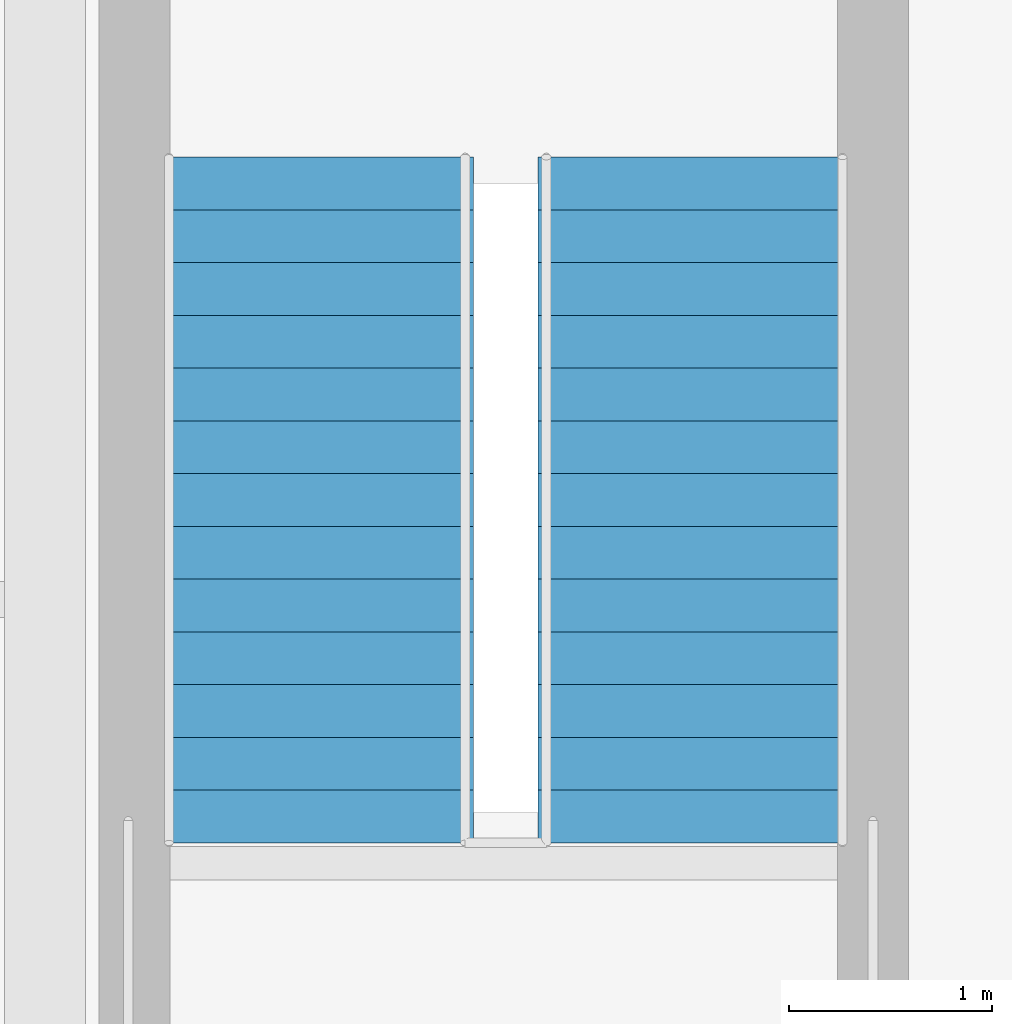
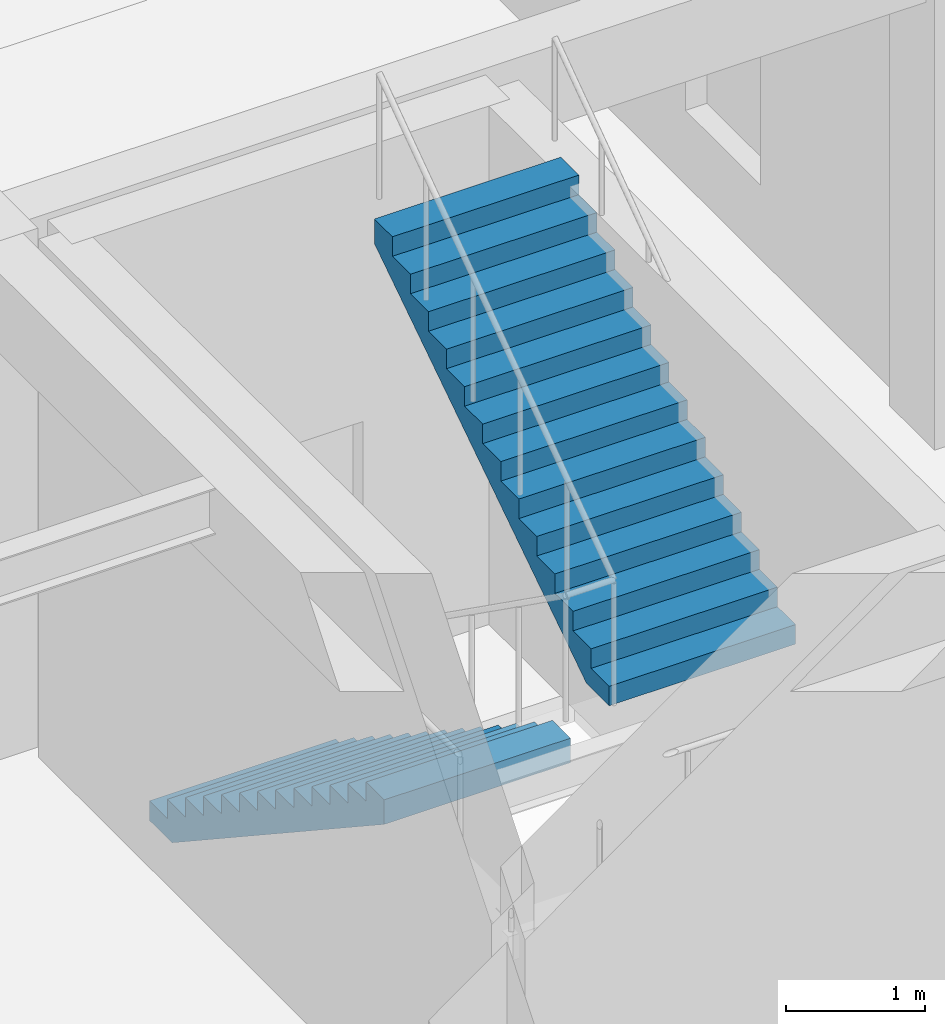
# One storey, part 154 of 161: 2 stair flights, 1 element without a shape of its own.
"""IFC4 building model written with IfcOpenShell, lengths in metres."""

from ifc_helpers import new_model, si_unit, direction, frame, origin, place, context, subcontext, project, spatial, polyline, outline, extrude, material, type_object, element, aggregate, save


model = new_model("IFC4")

# Units and contexts
model_context = context("Model", 3, precision=1e-05, world=origin(), true_north=direction((0.0, 1.0)))
body_context = subcontext(model_context, "Body", "Model", "MODEL_VIEW")
ifc_project = project(units=[si_unit("LENGTHUNIT", "METRE"), si_unit("AREAUNIT", "SQUARE_METRE"), si_unit("VOLUMEUNIT", "CUBIC_METRE"), si_unit("PLANEANGLEUNIT", "RADIAN"), si_unit("MASSUNIT", "GRAM", prefix="KILO")], contexts=[model_context])

# Site, building, storey
site_placement = place(None, origin())
site = spatial("IfcSite", under=ifc_project, at=site_placement, CompositionType="ELEMENT")
building_placement = place(site_placement, origin())
building = spatial("IfcBuilding", under=site, at=building_placement, Name="Cimatlan Art Gallery", CompositionType="ELEMENT")
storey_placement = place(building_placement, frame((0.0, 0.0, 5.39990234375)))
storey = spatial("IfcBuildingStorey", under=building, at=storey_placement, Name="L01", CompositionType="ELEMENT", Elevation=5.39990234375)

# Stair, stair flights
ifc_material = material(Name="Concrete C35/45", Category="concrete")
stair_type = type_object("IfcStairType", Name="STR-HALF-155-480", PredefinedType="HALF_TURN_STAIR", material=ifc_material)
stair_placement = place(storey_placement, origin())
stair = element("IfcStair", 1, at=stair_placement, inside=storey, type_object=stair_type, Name="STR-C10-L01", PredefinedType="HALF_TURN_STAIR")
stair_flight_type = type_object("IfcStairFlightType", Name="STF-155-14R-260", PredefinedType="STRAIGHT", material=ifc_material)
stair_flight_1_placement = place(storey_placement, frame((157.235107421875, 51.97998046875, 0.0), z_axis=(0.0, 0.0, 1.0), x_axis=(0.0, -1.0, 0.0)))
stair_flight_1 = element("IfcStairFlight", 2, at=stair_flight_1_placement, type_object=stair_flight_type, Name="STR-C10-L01-F1", NumberOfRisers=14, NumberOfTreads=13, PredefinedType="STRAIGHT", RiserHeight=0.171429, TreadLength=0.26, context=body_context, shape_type="SweptSolid", body=[
    extrude(outline(polyline([(0.0, 0.0), (0.0, 0.17138671875), (0.260009765625, 0.17138671875), (0.260009765625, 0.3427734375), (0.52001953125, 0.3427734375), (0.52001953125, 0.514404296875), (0.780029296875, 0.514404296875), (0.780029296875, 0.685791015625), (1.0400390625, 0.685791015625), (1.0400390625, 0.857177734375), (1.300048828125, 0.857177734375), (1.300048828125, 1.028564453125), (1.56005859375, 1.028564453125), (1.56005859375, 1.199951171875), (1.820068359375, 1.199951171875), (1.820068359375, 1.371337890625), (2.080078125, 1.371337890625), (2.080078125, 1.54296875), (2.340087890625, 1.54296875), (2.340087890625, 1.71435546875), (2.60009765625, 1.71435546875), (2.60009765625, 1.8857421875), (2.860107421875, 1.8857421875), (2.860107421875, 2.05712890625), (3.1201171875, 2.05712890625), (3.1201171875, 2.228515625), (3.3798828125, 2.228515625), (3.3798828125, 2.39990234375), (3.3798828125, 2.012939453125), (0.326904296875, 0.0), (0.0, 0.0)])), frame((0.0, 0.77490234375, 0.0), z_axis=(0.0, -1.0, 0.0), x_axis=(1.0, 0.0, 0.0)), (0.0, 0.0, 1.0), 1.550048828125),
])
stair_flight_2_placement = place(storey_placement, frame((159.10498046875, 48.60009765625, 2.400146484375), z_axis=(0.0, 0.0, 1.0), x_axis=(0.0, 1.0, 0.0)))
stair_flight_2 = element("IfcStairFlight", 3, at=stair_flight_2_placement, type_object=stair_flight_type, Name="STR-C10-L01-F2", NumberOfRisers=14, NumberOfTreads=13, PredefinedType="STRAIGHT", RiserHeight=0.171429, TreadLength=0.26, context=body_context, shape_type="SweptSolid", body=[
    extrude(outline(polyline([(0.0, 0.0), (0.0, 0.17138671875), (0.260009765625, 0.17138671875), (0.260009765625, 0.3427734375), (0.52001953125, 0.3427734375), (0.52001953125, 0.514404296875), (0.780029296875, 0.514404296875), (0.780029296875, 0.685791015625), (1.0400390625, 0.685791015625), (1.0400390625, 0.857177734375), (1.300048828125, 0.857177734375), (1.300048828125, 1.028564453125), (1.56005859375, 1.028564453125), (1.56005859375, 1.199951171875), (1.820068359375, 1.199951171875), (1.820068359375, 1.371337890625), (2.080078125, 1.371337890625), (2.080078125, 1.54296875), (2.340087890625, 1.54296875), (2.340087890625, 1.71435546875), (2.60009765625, 1.71435546875), (2.60009765625, 1.8857421875), (2.860107421875, 1.8857421875), (2.860107421875, 2.05712890625), (3.1201171875, 2.05712890625), (3.1201171875, 2.228515625), (3.3798828125, 2.228515625), (3.3798828125, 2.39990234375), (3.3798828125, 2.012939453125), (0.326904296875, 0.0), (0.0, 0.0)])), frame((0.0, 0.77490234375, 0.0), z_axis=(0.0, -1.0, 0.0), x_axis=(1.0, 0.0, 0.0)), (0.0, 0.0, 1.0), 1.550048828125),
])
aggregate(stair, [stair_flight_1, stair_flight_2])

save(model, "model.ifc")
